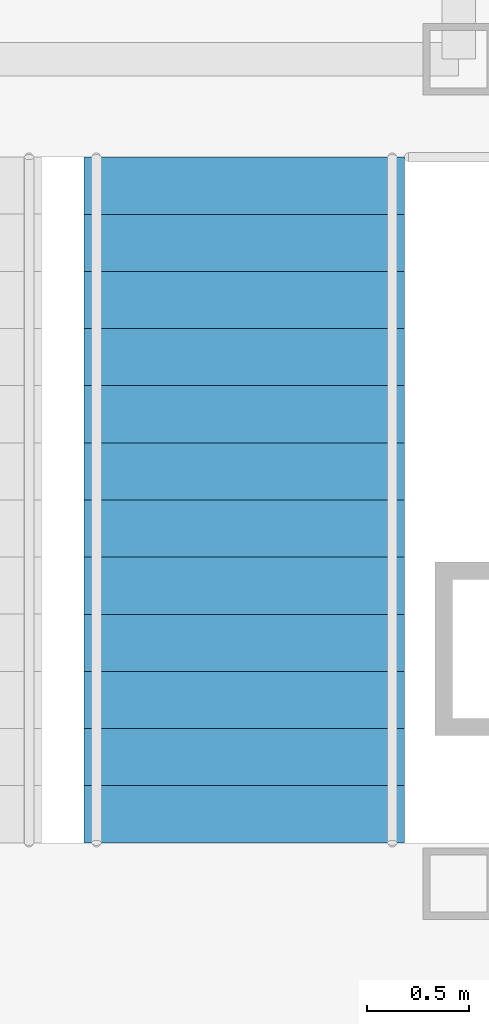
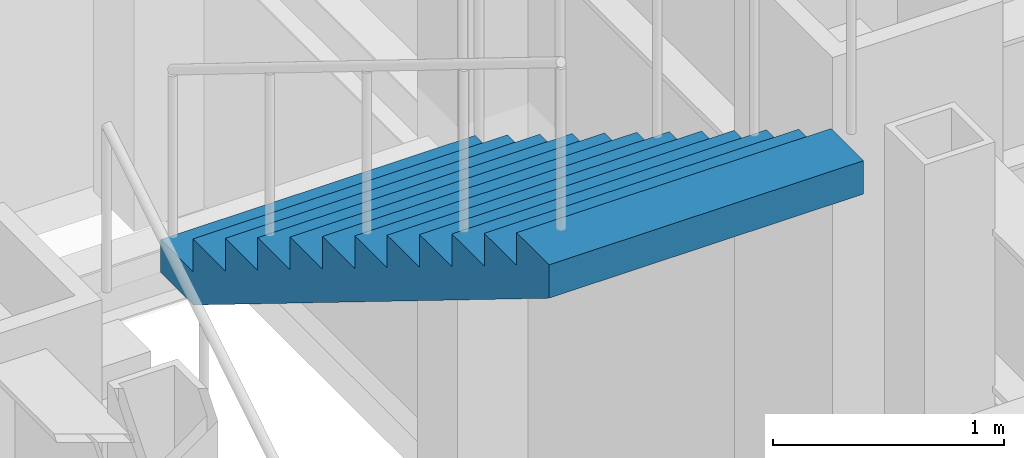
# One storey, part 13 of 16: 1 stair flight, 1 element without a shape of its own.
"""IFC4 building model written with IfcOpenShell, lengths in metres."""

from ifc_helpers import new_model, si_unit, direction, frame, origin, place, context, subcontext, project, spatial, faceted_brep, material, type_object, element, aggregate, save


model = new_model("IFC4")

# Units and contexts
model_context = context("Model", 3, precision=1e-05, world=origin(), true_north=direction((0.0, 1.0)))
body_context = subcontext(model_context, "Body", "Model", "MODEL_VIEW")
ifc_project = project(units=[si_unit("LENGTHUNIT", "METRE"), si_unit("AREAUNIT", "SQUARE_METRE"), si_unit("VOLUMEUNIT", "CUBIC_METRE"), si_unit("PLANEANGLEUNIT", "RADIAN"), si_unit("MASSUNIT", "GRAM", prefix="KILO")], contexts=[model_context])

# Site, building, storey
site_placement = place(None, origin())
site = spatial("IfcSite", under=ifc_project, at=site_placement, CompositionType="ELEMENT")
building_placement = place(site_placement, origin())
building = spatial("IfcBuilding", under=site, at=building_placement, Name="Chuquiago Exchange Tower", CompositionType="ELEMENT")
storey_placement = place(building_placement, frame((0.0, 0.0, 51.300048828125)))
storey = spatial("IfcBuildingStorey", under=building, at=storey_placement, Name="L10", CompositionType="ELEMENT", Elevation=51.300048828125)

# Stair, stair flight
ifc_material_1 = material(Name="Concrete C30/37, precast", Category="concrete")
stair_type = type_object("IfcStairType", Name="ST2 half-turn stair 4500", PredefinedType="HALF_TURN_STAIR", material=ifc_material_1)
stair_placement = place(storey_placement, origin())
stair = element("IfcStair", 1, at=stair_placement, inside=storey, type_object=stair_type, Name="Stair ST2 L10", PredefinedType="HALF_TURN_STAIR")
ifc_material_2 = material(Name="Concrete C30/37, precast", Category="concrete")
stair_flight_type = type_object("IfcStairFlightType", Name="ST-F flight 1570 for 4500 storey", PredefinedType="STRAIGHT", material=ifc_material_2)
stair_flight_placement = place(storey_placement, frame((31.639892578125, 26.409912109375, 2.25), z_axis=(0.0, 0.0, 1.0), x_axis=(0.0, -1.0, 0.0)))
stair_flight = element("IfcStairFlight", 2, at=stair_flight_placement, type_object=stair_flight_type, Name="ST2 flight 2", NumberOfRisers=13, NumberOfTreads=12, PredefinedType="STRAIGHT", RiserHeight=0.173076923, TreadLength=0.28, context=body_context, shape_type="Brep", body=[
    faceted_brep([(0.0, 0.78515625, 0.0), (0.0, 0.78515625, 0.173095703125), (0.280029296875, 0.78515625, 0.173095703125), (0.280029296875, 0.78515625, 0.34619140625), (0.56005859375, 0.78515625, 0.34619140625), (0.56005859375, 0.78515625, 0.519287109375), (0.840087890625, 0.78515625, 0.519287109375), (0.840087890625, 0.78515625, 0.6923828125), (1.1201171875, 0.78515625, 0.6923828125), (1.1201171875, 0.78515625, 0.865478515625), (1.39990234375, 0.78515625, 0.865478515625), (1.39990234375, 0.78515625, 1.03857421875), (1.679931640625, 0.78515625, 1.03857421875), (1.679931640625, 0.78515625, 1.21142578125), (1.9599609375, 0.78515625, 1.21142578125), (1.9599609375, 0.78515625, 1.384521484375), (2.239990234375, 0.78515625, 1.384521484375), (2.239990234375, 0.78515625, 1.5576171875), (2.52001953125, 0.78515625, 1.5576171875), (2.52001953125, 0.78515625, 1.730712890625), (2.800048828125, 0.78515625, 1.730712890625), (2.800048828125, 0.78515625, 1.90380859375), (3.080078125, 0.78515625, 1.90380859375), (3.080078125, 0.78515625, 2.076904296875), (3.360107421875, 0.78515625, 2.076904296875), (3.360107421875, 0.78515625, 1.900634765625), (0.28515625, 0.78515625, 0.0), (0.28515625, -0.78515625, 0.0), (3.360107421875, -0.78515625, 1.900634765625), (3.360107421875, -0.78515625, 2.076904296875), (3.080078125, -0.78515625, 2.076904296875), (3.080078125, -0.78515625, 1.90380859375), (2.800048828125, -0.78515625, 1.90380859375), (2.800048828125, -0.78515625, 1.730712890625), (2.52001953125, -0.78515625, 1.730712890625), (2.52001953125, -0.78515625, 1.5576171875), (2.239990234375, -0.78515625, 1.5576171875), (2.239990234375, -0.78515625, 1.384521484375), (1.9599609375, -0.78515625, 1.384521484375), (1.9599609375, -0.78515625, 1.21142578125), (1.679931640625, -0.78515625, 1.21142578125), (1.679931640625, -0.78515625, 1.03857421875), (1.39990234375, -0.78515625, 1.03857421875), (1.39990234375, -0.78515625, 0.865478515625), (1.1201171875, -0.78515625, 0.865478515625), (1.1201171875, -0.78515625, 0.6923828125), (0.840087890625, -0.78515625, 0.6923828125), (0.840087890625, -0.78515625, 0.519287109375), (0.56005859375, -0.78515625, 0.519287109375), (0.56005859375, -0.78515625, 0.34619140625), (0.280029296875, -0.78515625, 0.34619140625), (0.280029296875, -0.78515625, 0.173095703125), (0.0, -0.78515625, 0.173095703125), (0.0, -0.78515625, 0.0), (0.0, 0.392578125, 0.0), (0.0, 0.392578125, 0.173095703125), (0.0, 0.0, 0.0), (0.0, 0.0, 0.173095703125), (0.0, -0.392578125, 0.0), (0.0, -0.392578125, 0.173095703125), (0.280029296875, 0.392578125, 0.173095703125), (0.280029296875, 0.0, 0.173095703125), (0.280029296875, -0.392578125, 0.173095703125), (0.280029296875, 0.392578125, 0.34619140625), (0.280029296875, 0.0, 0.34619140625), (0.280029296875, -0.392578125, 0.34619140625), (0.56005859375, 0.392578125, 0.34619140625), (0.56005859375, 0.0, 0.34619140625), (0.56005859375, -0.392578125, 0.34619140625), (0.56005859375, 0.392578125, 0.519287109375), (0.56005859375, 0.0, 0.519287109375), (0.56005859375, -0.392578125, 0.519287109375), (0.840087890625, 0.392578125, 0.519287109375), (0.840087890625, 0.0, 0.519287109375), (0.840087890625, -0.392578125, 0.519287109375), (0.840087890625, 0.392578125, 0.6923828125), (0.840087890625, 0.0, 0.6923828125), (0.840087890625, -0.392578125, 0.6923828125), (1.1201171875, 0.392578125, 0.6923828125), (1.1201171875, 0.0, 0.6923828125), (1.1201171875, -0.392578125, 0.6923828125), (1.1201171875, 0.392578125, 0.865478515625), (1.1201171875, 0.0, 0.865478515625), (1.1201171875, -0.392578125, 0.865478515625), (1.39990234375, 0.392578125, 0.865478515625), (1.39990234375, 0.0, 0.865478515625), (1.39990234375, -0.392578125, 0.865478515625), (1.39990234375, 0.392578125, 1.03857421875), (1.39990234375, 0.0, 1.03857421875), (1.39990234375, -0.392578125, 1.03857421875), (1.679931640625, 0.392578125, 1.03857421875), (1.679931640625, 0.0, 1.03857421875), (1.679931640625, -0.392578125, 1.03857421875), (1.679931640625, 0.392578125, 1.21142578125), (1.679931640625, 0.0, 1.21142578125), (1.679931640625, -0.392578125, 1.21142578125), (1.9599609375, 0.392578125, 1.21142578125), (1.9599609375, 0.0, 1.21142578125), (1.9599609375, -0.392578125, 1.21142578125), (1.9599609375, 0.392578125, 1.384521484375), (1.9599609375, 0.0, 1.384521484375), (1.9599609375, -0.392578125, 1.384521484375), (2.239990234375, 0.392578125, 1.384521484375), (2.239990234375, 0.0, 1.384521484375), (2.239990234375, -0.392578125, 1.384521484375), (2.239990234375, 0.392578125, 1.5576171875), (2.239990234375, 0.0, 1.5576171875), (2.239990234375, -0.392578125, 1.5576171875), (2.52001953125, 0.392578125, 1.5576171875), (2.52001953125, 0.0, 1.5576171875), (2.52001953125, -0.392578125, 1.5576171875), (2.52001953125, 0.392578125, 1.730712890625), (2.52001953125, 0.0, 1.730712890625), (2.52001953125, -0.392578125, 1.730712890625), (2.800048828125, 0.392578125, 1.730712890625), (2.800048828125, 0.0, 1.730712890625), (2.800048828125, -0.392578125, 1.730712890625), (2.800048828125, 0.392578125, 1.90380859375), (2.800048828125, 0.0, 1.90380859375), (2.800048828125, -0.392578125, 1.90380859375), (3.080078125, 0.392578125, 1.90380859375), (3.080078125, 0.0, 1.90380859375), (3.080078125, -0.392578125, 1.90380859375), (3.080078125, 0.392578125, 2.076904296875), (3.080078125, 0.0, 2.076904296875), (3.080078125, -0.392578125, 2.076904296875), (3.360107421875, 0.392578125, 2.076904296875), (3.360107421875, 0.0, 2.076904296875), (3.360107421875, -0.392578125, 2.076904296875), (3.360107421875, 0.392578125, 1.900634765625), (3.360107421875, 0.0, 1.900634765625), (3.360107421875, -0.392578125, 1.900634765625), (0.28515625, 0.392578125, 0.0), (0.28515625, 0.0, 0.0), (0.28515625, -0.392578125, 0.0)], [[[0, 1, 2, 3, 4, 5, 6, 7, 8, 9, 10, 11, 12, 13, 14, 15, 16, 17, 18, 19, 20, 21, 22, 23, 24, 25, 26]], [[27, 28, 29, 30, 31, 32, 33, 34, 35, 36, 37, 38, 39, 40, 41, 42, 43, 44, 45, 46, 47, 48, 49, 50, 51, 52, 53]], [[1, 0, 54, 55]], [[55, 54, 56, 57]], [[57, 56, 58, 59]], [[59, 58, 53, 52]], [[2, 1, 55, 60]], [[60, 55, 57, 61]], [[61, 57, 59, 62]], [[62, 59, 52, 51]], [[3, 2, 60, 63]], [[63, 60, 61, 64]], [[64, 61, 62, 65]], [[65, 62, 51, 50]], [[4, 3, 63, 66]], [[66, 63, 64, 67]], [[67, 64, 65, 68]], [[68, 65, 50, 49]], [[5, 4, 66, 69]], [[69, 66, 67, 70]], [[70, 67, 68, 71]], [[71, 68, 49, 48]], [[6, 5, 69, 72]], [[72, 69, 70, 73]], [[73, 70, 71, 74]], [[74, 71, 48, 47]], [[7, 6, 72, 75]], [[75, 72, 73, 76]], [[76, 73, 74, 77]], [[77, 74, 47, 46]], [[8, 7, 75, 78]], [[78, 75, 76, 79]], [[79, 76, 77, 80]], [[80, 77, 46, 45]], [[9, 8, 78, 81]], [[81, 78, 79, 82]], [[82, 79, 80, 83]], [[83, 80, 45, 44]], [[10, 9, 81, 84]], [[84, 81, 82, 85]], [[85, 82, 83, 86]], [[86, 83, 44, 43]], [[11, 10, 84, 87]], [[87, 84, 85, 88]], [[88, 85, 86, 89]], [[89, 86, 43, 42]], [[12, 11, 87, 90]], [[90, 87, 88, 91]], [[91, 88, 89, 92]], [[92, 89, 42, 41]], [[13, 12, 90, 93]], [[93, 90, 91, 94]], [[94, 91, 92, 95]], [[95, 92, 41, 40]], [[14, 13, 93, 96]], [[96, 93, 94, 97]], [[97, 94, 95, 98]], [[98, 95, 40, 39]], [[15, 14, 96, 99]], [[99, 96, 97, 100]], [[100, 97, 98, 101]], [[101, 98, 39, 38]], [[16, 15, 99, 102]], [[102, 99, 100, 103]], [[103, 100, 101, 104]], [[104, 101, 38, 37]], [[17, 16, 102, 105]], [[105, 102, 103, 106]], [[106, 103, 104, 107]], [[107, 104, 37, 36]], [[18, 17, 105, 108]], [[108, 105, 106, 109]], [[109, 106, 107, 110]], [[110, 107, 36, 35]], [[19, 18, 108, 111]], [[111, 108, 109, 112]], [[112, 109, 110, 113]], [[113, 110, 35, 34]], [[20, 19, 111, 114]], [[114, 111, 112, 115]], [[115, 112, 113, 116]], [[116, 113, 34, 33]], [[21, 20, 114, 117]], [[117, 114, 115, 118]], [[118, 115, 116, 119]], [[119, 116, 33, 32]], [[22, 21, 117, 120]], [[120, 117, 118, 121]], [[121, 118, 119, 122]], [[122, 119, 32, 31]], [[23, 22, 120, 123]], [[123, 120, 121, 124]], [[124, 121, 122, 125]], [[125, 122, 31, 30]], [[24, 23, 123, 126]], [[126, 123, 124, 127]], [[127, 124, 125, 128]], [[128, 125, 30, 29]], [[25, 24, 126, 129]], [[129, 126, 127, 130]], [[130, 127, 128, 131]], [[131, 128, 29, 28]], [[26, 25, 129, 132]], [[132, 129, 130, 133]], [[133, 130, 131, 134]], [[134, 131, 28, 27]], [[0, 26, 132, 54]], [[54, 132, 133, 56]], [[56, 133, 134, 58]], [[58, 134, 27, 53]]]),
])
aggregate(stair, [stair_flight])

save(model, "model.ifc")
